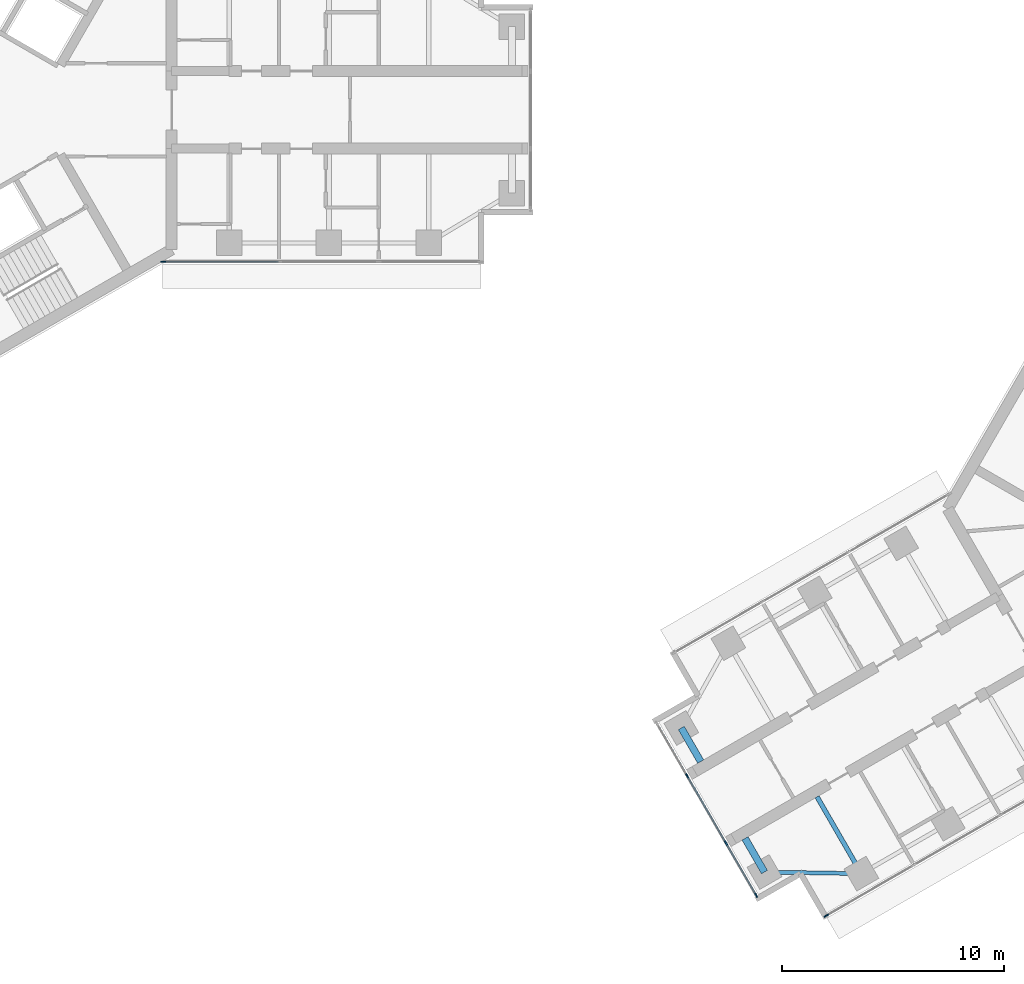
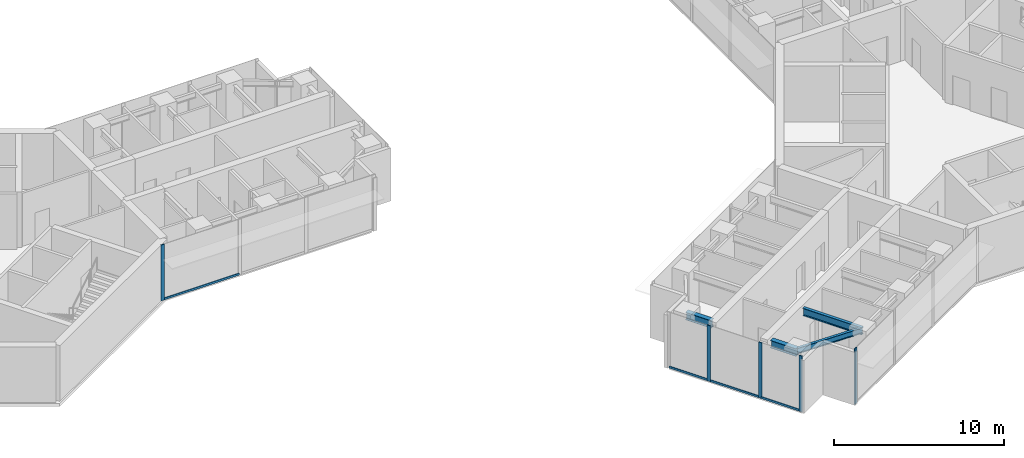
# One storey, part 2 of 17: 9 members, 4 beams, 3 elements without a shape of their own.
"""IFC4 building model written with IfcOpenShell, lengths in metres."""

from ifc_helpers import new_model, si_unit, direction, frame, origin, origin_2d, place, context, subcontext, project, spatial, rectangle, i_section, extrude, material, material_profile, profile_set, type_object, element, aggregate, save


model = new_model("IFC4")

# Units and contexts
model_context = context("Model", 3, precision=1e-05, world=origin(), true_north=direction((0.0, 1.0)))
body_context = subcontext(model_context, "Body", "Model", "MODEL_VIEW")
ifc_project = project(units=[si_unit("LENGTHUNIT", "METRE"), si_unit("AREAUNIT", "SQUARE_METRE"), si_unit("VOLUMEUNIT", "CUBIC_METRE"), si_unit("PLANEANGLEUNIT", "RADIAN"), si_unit("MASSUNIT", "GRAM", prefix="KILO")], contexts=[model_context])

# Site, building, storey
site_placement = place(None, origin())
site = spatial("IfcSite", under=ifc_project, at=site_placement, CompositionType="ELEMENT")
building_placement = place(site_placement, origin())
building = spatial("IfcBuilding", under=site, at=building_placement, Name="Upepo Twin Towers", CompositionType="ELEMENT")
storey_placement = place(building_placement, frame((0.0, 0.0, 206.5)))
storey = spatial("IfcBuildingStorey", under=building, at=storey_placement, Name="L50", CompositionType="ELEMENT", Elevation=206.5)

# Beams
ifc_material_1 = material(Name="Steel S355", Category="steel")
ifc_material_profile_1 = material_profile(ifc_material_1, i_section(OverallWidth=0.177978515625, OverallDepth=0.406494140625, WebThickness=0.0078125, FlangeThickness=0.0126953125, FilletRadius=0.01025390625, at=origin_2d()), Name="UB 406x178x60")
ifc_profile_set_1 = profile_set([ifc_material_profile_1], Name="Steel S355")
beam_type_1 = type_object("IfcBeamType", Name="Beam UB 406x178x60", PredefinedType="BEAM", material=ifc_profile_set_1)
beam_1_placement = place(storey_placement, frame((42.014404296875, -34.446044921875, 3.5966796875), z_axis=(-0.999858804832, 0.016803880528, 0.0), x_axis=(-0.016803880528, -0.999858804832, 0.0)))
element("IfcBeam", 1, at=beam_1_placement, inside=storey, type_object=beam_type_1, Name="T2 nose edge beam BL", PredefinedType="BEAM", context=body_context, shape_type="SweptSolid", body=[
    extrude(i_section(OverallWidth=0.177978515625, OverallDepth=0.406494140625, WebThickness=0.0078125, FlangeThickness=0.0126953125, FilletRadius=0.01025390625, at=origin_2d()), origin(), (0.0, 0.0, 1.0), 4.373291015625),
])
ifc_material_2 = material(Name="Steel S355", Category="steel")
ifc_material_profile_2 = material_profile(ifc_material_2, i_section(OverallWidth=0.209228515625, OverallDepth=0.533203125, WebThickness=0.010009765625, FlangeThickness=0.015625, FilletRadius=0.0126953125, at=origin_2d()), Name="UB 533x210x92")
ifc_profile_set_2 = profile_set([ifc_material_profile_2], Name="Steel S355")
beam_type_2 = type_object("IfcBeamType", Name="Beam UB 533x210x92", PredefinedType="BEAM", material=ifc_profile_set_2)
beam_2_placement = place(storey_placement, frame((42.014404296875, -34.446044921875, 3.533447265625), z_axis=(-0.49999894854, 0.866026010844, 0.0), x_axis=(-0.866026010844, -0.49999894854, 0.0)))
element("IfcBeam", 2, at=beam_2_placement, inside=storey, type_object=beam_type_2, Name="T2 girder BL at 22.5", PredefinedType="BEAM", context=body_context, shape_type="SweptSolid", body=[
    extrude(i_section(OverallWidth=0.209228515625, OverallDepth=0.533203125, WebThickness=0.010009765625, FlangeThickness=0.015625, FilletRadius=0.0126953125, at=origin_2d()), origin(), (0.0, 0.0, 1.0), 4.0),
])
ifc_material_3 = material(Name="Steel S355", Category="steel")
ifc_material_profile_3 = material_profile(ifc_material_3, i_section(OverallWidth=0.31201171875, OverallDepth=0.54345703125, WebThickness=0.0126953125, FlangeThickness=0.020263671875, FilletRadius=0.0126953125, at=origin_2d()), Name="UB 533x312x150")
ifc_profile_set_3 = profile_set([ifc_material_profile_3], Name="Steel S355")
beam_type_3 = type_object("IfcBeamType", Name="Beam UB 533x312x150", PredefinedType="BEAM", material=ifc_profile_set_3)
for number, where, z_axis, x_axis, name in (
    (3, (37.641845703125, -34.37255859375, 3.5283203125), (-0.499980071345, 0.866036909293, 0.0), (-0.866036909293, -0.499980071345, 0.0), "T2 nose beam BL"),
    (4, (33.891845703125, -27.87744140625, 3.5283203125), (0.499980071345, -0.866036909293, 0.0), (0.866036909293, 0.499980071345, 0.0), "T2 nose beam BR"),
):
    element("IfcBeam", number, at=place(storey_placement, frame(where, z_axis=z_axis, x_axis=x_axis)), inside=storey, type_object=beam_type_3, Name=name, PredefinedType="BEAM", context=body_context, shape_type="SweptSolid", body=[
        extrude(i_section(OverallWidth=0.31201171875, OverallDepth=0.54345703125, WebThickness=0.0126953125, FlangeThickness=0.020263671875, FilletRadius=0.0126953125, at=origin_2d()), origin(), (0.0, 0.0, 1.0), 1.75),
    ])

# Curtain wall, member
ifc_material_4 = material(Name="Aluminium and fritted glass", Category="aluminium")
curtain_wall_type = type_object("IfcCurtainWallType", Name="Tower curtain wall TW3, fritted glass", PredefinedType="NOTDEFINED", material=ifc_material_4)
curtain_wall_1_placement = place(storey_placement, origin())
curtain_wall_1 = element("IfcCurtainWall", 5, at=curtain_wall_1_placement, inside=storey, type_object=curtain_wall_type, Name="T1 L50 wing A flank R curtain wall", PredefinedType="NOTDEFINED")
ifc_material_5 = material(Name="Aluminium mullion", Category="aluminium")
ifc_material_profile_4 = material_profile(ifc_material_5, rectangle(XDim=0.06494140625, YDim=0.22509765625, at=origin_2d()), Name="MULLION 65x225")
ifc_profile_set_4 = profile_set([ifc_material_profile_4], Name="Aluminium mullion")
member_type_1 = type_object("IfcMemberType", Name="Mullion 65x225 TW3", PredefinedType="MULLION", material=ifc_profile_set_4)
member_1_placement = place(storey_placement, frame((10.51953125, -6.85009765625, 0.0), z_axis=(0.0, 0.0, 1.0), x_axis=(0.0, -1.0, 0.0)))
member_1 = element("IfcMember", 6, at=member_1_placement, type_object=member_type_1, Name="T1 L50 wing A flank R curtain wall mullion 4", PredefinedType="MULLION", context=body_context, shape_type="SweptSolid", body=[
    extrude(rectangle(XDim=0.06494140625, YDim=0.22509765625, at=origin_2d()), origin(), (0.0, 0.0, 1.0), 4.0),
])

curtain_wall_2_placement = place(storey_placement, origin())
curtain_wall_2 = element("IfcCurtainWall", 7, at=curtain_wall_2_placement, inside=storey, type_object=curtain_wall_type, Name="T2 L50 wing B flank L curtain wall", PredefinedType="NOTDEFINED")
member_2_placement = place(storey_placement, frame((40.432373046875, -36.341064453125, 0.0), z_axis=(0.0, 0.0, 1.0), x_axis=(0.500000026527, -0.866025388469, 0.0)))
member_2 = element("IfcMember", 8, at=member_2_placement, type_object=member_type_1, Name="T2 L50 wing B flank L curtain wall mullion 4", PredefinedType="MULLION", context=body_context, shape_type="SweptSolid", body=[
    extrude(rectangle(XDim=0.06494140625, YDim=0.22509765625, at=origin_2d()), origin(), (0.0, 0.0, 1.0), 4.0),
])
aggregate(curtain_wall_2, [member_2])

# Curtain wall, members
curtain_wall_3_placement = place(storey_placement, origin())
curtain_wall_3 = element("IfcCurtainWall", 9, at=curtain_wall_3_placement, inside=storey, type_object=curtain_wall_type, Name="T2 L50 wing B nose curtain wall", PredefinedType="NOTDEFINED")
member_3_placement = place(storey_placement, frame((34.15576171875, -30.034423828125, 0.0), z_axis=(0.0, 0.0, 1.0), x_axis=(0.866025386174, 0.500000030502, 0.0)))
member_3 = element("IfcMember", 10, at=member_3_placement, type_object=member_type_1, Name="T2 L50 wing B nose curtain wall mullion 2", PredefinedType="MULLION", context=body_context, shape_type="SweptSolid", body=[
    extrude(rectangle(XDim=0.06494140625, YDim=0.22509765625, at=origin_2d()), origin(), (0.0, 0.0, 1.0), 4.0),
])
member_4_placement = place(storey_placement, frame((35.90576171875, -33.0654296875, 0.0), z_axis=(0.0, 0.0, 1.0), x_axis=(0.866025386174, 0.500000030502, 0.0)))
member_4 = element("IfcMember", 11, at=member_4_placement, type_object=member_type_1, Name="T2 L50 wing B nose curtain wall mullion 3", PredefinedType="MULLION", context=body_context, shape_type="SweptSolid", body=[
    extrude(rectangle(XDim=0.06494140625, YDim=0.22509765625, at=origin_2d()), origin(), (0.0, 0.0, 1.0), 4.0),
])
member_5_placement = place(storey_placement, frame((37.264404296875, -35.4189453125, 0.0), z_axis=(0.0, 0.0, 1.0), x_axis=(0.866025386174, 0.500000030502, 0.0)))
member_5 = element("IfcMember", 12, at=member_5_placement, type_object=member_type_1, Name="T2 L50 wing B nose curtain wall mullion 4", PredefinedType="MULLION", context=body_context, shape_type="SweptSolid", body=[
    extrude(rectangle(XDim=0.06494140625, YDim=0.22509765625, at=origin_2d()), origin(), (0.0, 0.0, 1.0), 4.0),
])

# Member
ifc_material_6 = material(Name="Aluminium transom", Category="aluminium")
ifc_material_profile_5 = material_profile(ifc_material_6, rectangle(XDim=0.06494140625, YDim=0.14990234375, at=origin_2d()), Name="TRANSOM 65x150")
ifc_profile_set_5 = profile_set([ifc_material_profile_5], Name="Aluminium transom")
member_type_2 = type_object("IfcMemberType", Name="Transom 65x150 TW3", PredefinedType="USERDEFINED", material=ifc_profile_set_5)
member_6_placement = place(storey_placement, frame((15.717529296875, -6.85009765625, 0.074951171875), z_axis=(-1.0, 0.0, 0.0), x_axis=(0.0, -1.0, 0.0)))
member_6 = element("IfcMember", 13, at=member_6_placement, type_object=member_type_2, Name="T1 L50 wing A flank R curtain wall transom 3", ObjectType="TRANSOM", PredefinedType="USERDEFINED", context=body_context, shape_type="SweptSolid", body=[
    extrude(rectangle(XDim=0.06494140625, YDim=0.14990234375, at=origin_2d()), origin(), (0.0, 0.0, 1.0), 5.16552734375),
])

aggregate(curtain_wall_1, [member_1, member_6])

member_7_placement = place(storey_placement, frame((32.813232421875, -27.709228515625, 0.074951171875), z_axis=(0.499980071345, -0.866036909293, 0.0), x_axis=(0.866036909293, 0.499980071345, 0.0)))
member_7 = element("IfcMember", 14, at=member_7_placement, type_object=member_type_2, Name="T2 L50 wing B nose curtain wall transom 1", ObjectType="TRANSOM", PredefinedType="USERDEFINED", context=body_context, shape_type="SweptSolid", body=[
    extrude(rectangle(XDim=0.06494140625, YDim=0.14990234375, at=origin_2d()), origin(), (0.0, 0.0, 1.0), 2.65234375),
])

member_8_placement = place(storey_placement, frame((34.171875, -30.0625, 0.074951171875), z_axis=(0.499999305434, -0.866025804792, 0.0), x_axis=(0.866025804792, 0.499999305434, 0.0)))
member_8 = element("IfcMember", 15, at=member_8_placement, type_object=member_type_2, Name="T2 L50 wing B nose curtain wall transom 2", ObjectType="TRANSOM", PredefinedType="USERDEFINED", context=body_context, shape_type="SweptSolid", body=[
    extrude(rectangle(XDim=0.06494140625, YDim=0.14990234375, at=origin_2d()), origin(), (0.0, 0.0, 1.0), 3.43505859375),
])

member_9_placement = place(storey_placement, frame((35.921875, -33.09375, 0.074951171875), z_axis=(0.500049101008, -0.865997053448, 0.0), x_axis=(0.865997053448, 0.500049101008, 0.0)))
member_9 = element("IfcMember", 16, at=member_9_placement, type_object=member_type_2, Name="T2 L50 wing B nose curtain wall transom 3", ObjectType="TRANSOM", PredefinedType="USERDEFINED", context=body_context, shape_type="SweptSolid", body=[
    extrude(rectangle(XDim=0.06494140625, YDim=0.14990234375, at=origin_2d()), origin(), (0.0, 0.0, 1.0), 2.652587890625),
])

aggregate(curtain_wall_3, [member_3, member_4, member_5, member_7, member_8, member_9])

save(model, "model.ifc")
